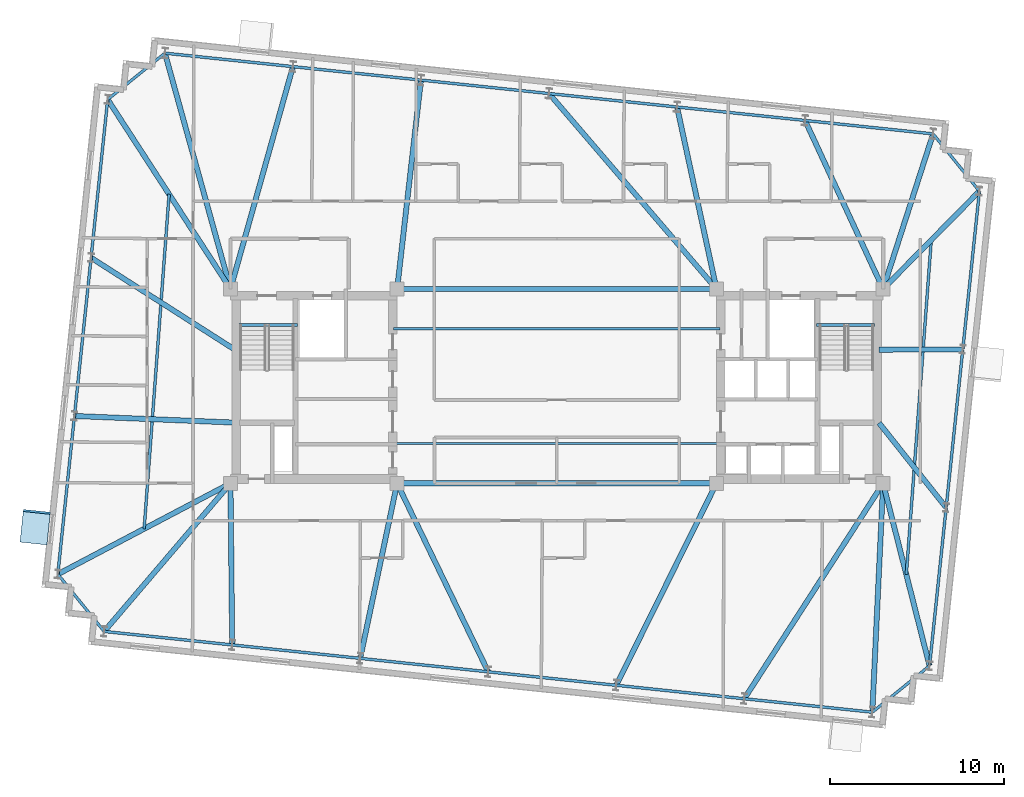
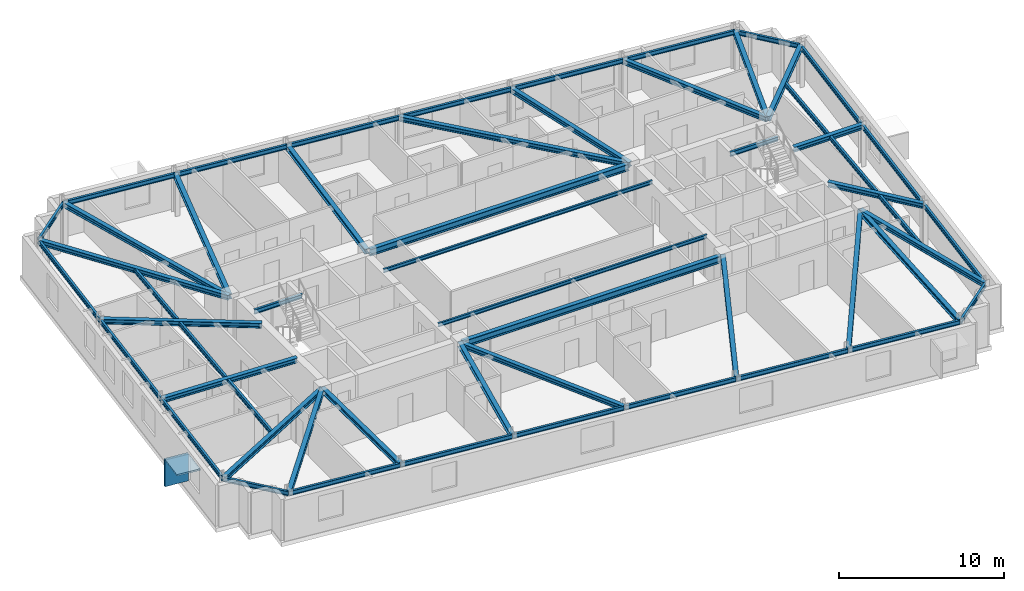
# One storey, part 4 of 12: 52 beams, 2 plates.
"""IFC4 building model written with IfcOpenShell, lengths in metres."""

import ifcopenshell
import ifcopenshell.guid

model = None  # the IFC model being written
_history = None  # IfcOwnerHistory: only IFC2X3 demands one
_inside = {}  # id of a spatial element -> (the spatial element, [elements in it])
_under = {}  # id of a project, library or spatial element -> (it, [spatial elements below it])
_declared = {}  # id of a project -> (the project, [libraries it declares])
_typed = {}  # id of a type object -> (the type object, [elements of that type])
_made_of = {}  # id of a material, layer set ... -> (it, [elements and type objects made of it])


def new_model(schema):
    """Start an empty IFC model of exactly this schema.

    Asked for "IFC4X3", IfcOpenShell would pick the latest addendum, in which some entities
    have other attributes; the version numbers below select the first issue.
    IFC2X3 requires an IfcOwnerHistory on every rooted entity: one is made here for all.
    """
    global model, _history
    if schema == "IFC4X3":
        model = ifcopenshell.file(schema_version=(4, 3, 0, 0))
    else:
        model = ifcopenshell.file(schema=schema)
    _inside.clear()
    _under.clear()
    _declared.clear()
    _typed.clear()
    _made_of.clear()
    _history = None
    if model.schema == "IFC2X3":
        org = make("IfcOrganization", Name="unknown")
        user = make(
            "IfcPersonAndOrganization",
            ThePerson=make("IfcPerson", FamilyName="unknown"),
            TheOrganization=org,
        )
        app = make(
            "IfcApplication",
            ApplicationDeveloper=org,
            Version="unknown",
            ApplicationFullName="unknown",
            ApplicationIdentifier="unknown",
        )
        _history = make(
            "IfcOwnerHistory",
            OwningUser=user,
            OwningApplication=app,
            ChangeAction="ADDED",
            CreationDate=0,
        )
    return model


def make(cls, **values):
    """One entity of the class cls with the attributes given. An attribute that is None is left unset."""
    return model.create_entity(
        cls, **{name: value for name, value in values.items() if value is not None}
    )


def rooted(cls, **values):
    """An entity with a GlobalId (a new one), such as an element, a storey or a relation."""
    return make(cls, GlobalId=ifcopenshell.guid.new(), OwnerHistory=_history, **values)


def si_unit(unit_type, name, prefix=None):
    """IfcSIUnit, for example si_unit("LENGTHUNIT", "METRE", prefix="MILLI")."""
    return make("IfcSIUnit", UnitType=unit_type, Prefix=prefix, Name=name)


def assignment(units):
    """IfcUnitAssignment: the units of a project."""
    return None if units is None else make("IfcUnitAssignment", Units=units)


def point(xyz):
    """IfcCartesianPoint."""
    return None if xyz is None else make("IfcCartesianPoint", Coordinates=xyz)


def direction(xyz):
    """IfcDirection."""
    return None if xyz is None else make("IfcDirection", DirectionRatios=xyz)


def frame(location, z_axis=None, x_axis=None):
    """IfcAxis2Placement3D, a coordinate frame: its origin and axes. An axis left out is left unset."""
    return make(
        "IfcAxis2Placement3D",
        Location=point(location),
        Axis=direction(z_axis),
        RefDirection=direction(x_axis),
    )


def frame_2d(location, x_axis=None):
    """IfcAxis2Placement2D, a coordinate frame in the plane: its origin and x axis."""
    return make(
        "IfcAxis2Placement2D", Location=point(location), RefDirection=direction(x_axis)
    )


def origin():
    """The frame at (0, 0, 0) with its axes left unset."""
    return frame((0.0, 0.0, 0.0))


def origin_2d():
    """The frame at (0, 0) in the plane with its x axis left unset."""
    return frame_2d((0.0, 0.0))


def place(relative_to, where):
    """IfcLocalPlacement: puts the frame where relative to a parent placement (None: the world)."""
    return make(
        "IfcLocalPlacement", PlacementRelTo=relative_to, RelativePlacement=where
    )


def context(
    kind, dimensions, precision=None, world=None, true_north=None, identifier=None
):
    """IfcGeometricRepresentationContext, for example the 3D "Model" context."""
    return make(
        "IfcGeometricRepresentationContext",
        ContextIdentifier=identifier,
        ContextType=kind,
        CoordinateSpaceDimension=dimensions,
        Precision=precision,
        WorldCoordinateSystem=world,
        TrueNorth=true_north,
    )


def subcontext(parent, identifier, kind, view, scale=None):
    """IfcGeometricRepresentationSubContext, for example "Body" below "Model"."""
    return make(
        "IfcGeometricRepresentationSubContext",
        ContextIdentifier=identifier,
        ContextType=kind,
        ParentContext=parent,
        TargetScale=scale,
        TargetView=view,
    )


def project(units=None, contexts=None):
    """IfcProject with its units and contexts."""
    return rooted(
        "IfcProject",
        Name="project",
        RepresentationContexts=contexts,
        UnitsInContext=assignment(units),
    )


def spatial(cls, under=None, at=None, **own):
    """A site, building, storey or space (cls), placed at a placement, below another one or the project."""
    s = rooted(cls, ObjectPlacement=at, **own)
    if under is not None:
        _under.setdefault(under.id(), (under, []))[1].append(s)
    return s


def profile(cls, at=None, kind="AREA", **sizes):
    """A parametric profile (cls). Its sizes go by their IFC names, for example OverallWidth=200.0."""
    return make(cls, ProfileType=kind, Position=at, **sizes)


def rectangle(**sizes):
    """IfcRectangleProfileDef."""
    return profile("IfcRectangleProfileDef", **sizes)


def i_section(**sizes):
    """IfcIShapeProfileDef."""
    return profile("IfcIShapeProfileDef", **sizes)


def extrude(swept, where, along, depth):
    """IfcExtrudedAreaSolid: the profile swept, set in the frame where, extruded along a direction by depth."""
    return make(
        "IfcExtrudedAreaSolid",
        SweptArea=swept,
        Position=where,
        ExtrudedDirection=direction(along),
        Depth=depth,
    )


def shape(context_of_items, identifier, shape_type, items):
    """IfcShapeRepresentation: the items that make up one representation, for example the "Body"."""
    return make(
        "IfcShapeRepresentation",
        ContextOfItems=context_of_items,
        RepresentationIdentifier=identifier,
        RepresentationType=shape_type,
        Items=items,
    )


def material(Name=None, Category=None):
    """IfcMaterial."""
    return make("IfcMaterial", Name=Name, Category=Category)


def layer(
    of_material, thickness, ventilated=None, Name=None, Category=None, Priority=None
):
    """IfcMaterialLayer: one layer of a wall or slab, of a material (None: an air gap)."""
    return make(
        "IfcMaterialLayer",
        Material=of_material,
        LayerThickness=thickness,
        IsVentilated=ventilated,
        Name=Name,
        Category=Category,
        Priority=Priority,
    )


def layer_set(layers, Name=None):
    """IfcMaterialLayerSet."""
    return make("IfcMaterialLayerSet", MaterialLayers=layers, LayerSetName=Name)


def material_profile(
    of_material, cross_section, Name=None, Category=None, Priority=None
):
    """IfcMaterialProfile: a cross section and its material."""
    return make(
        "IfcMaterialProfile",
        Name=Name,
        Material=of_material,
        Profile=cross_section,
        Priority=Priority,
        Category=Category,
    )


def profile_set(profiles, Name=None, composite=None):
    """IfcMaterialProfileSet."""
    return make(
        "IfcMaterialProfileSet",
        Name=Name,
        MaterialProfiles=profiles,
        CompositeProfile=composite,
    )


def made_of(thing, what):
    """Note that an element or type object is made of a material, layer set ...; save() writes the relation."""
    if what is not None:
        _made_of.setdefault(what.id(), (what, []))[1].append(thing)
    return thing


def type_object(cls, material=None, **own):
    """A type object (cls), such as IfcWallType, which elements share."""
    return made_of(rooted(cls, **own), material)


def element(
    cls,
    number,
    at=None,
    inside=None,
    cuts=None,
    type_object=None,
    material=None,
    context=None,
    identifier="Body",
    shape_type=None,
    held_by="IfcProductDefinitionShape",
    body=None,
    shapes=None,
    **own,
):
    """One element of the class cls, such as IfcWall. Its Tag is "e" and its number.

    at: its placement. inside: the storey or other place that contains it. cuts: it is an
    opening in that element (IfcRelVoidsElement). A single representation is given by context,
    identifier, shape_type and body (its items); several are given by shapes. held_by: the class
    of the entity that holds the representations. save() writes the other relations.
    """
    e = rooted(cls, Tag="e%d" % number, ObjectPlacement=at, **own)
    if body is not None:
        shapes = [shape(context, identifier, shape_type, body)]
    if shapes is not None:
        e.Representation = make(held_by, Representations=shapes)
    if inside is not None:
        _inside.setdefault(inside.id(), (inside, []))[1].append(e)
    if cuts is not None:
        rooted(
            "IfcRelVoidsElement", RelatingBuildingElement=cuts, RelatedOpeningElement=e
        )
    if type_object is not None:
        _typed.setdefault(type_object.id(), (type_object, []))[1].append(e)
    return made_of(e, material)


def aggregate(whole, parts):
    """IfcRelAggregates: a whole, such as a stair, and the parts it consists of."""
    return rooted("IfcRelAggregates", RelatingObject=whole, RelatedObjects=parts)


def save(model, path):
    """Write the relations noted so far, then the file.

    IfcRelAggregates (storeys below a building ...), IfcRelContainedInSpatialStructure (elements
    in a storey), IfcRelDefinesByType, IfcRelAssociatesMaterial and IfcRelDeclares: one each for
    every whole, place, type object, material and project.
    """
    for whole, parts in _under.values():
        aggregate(whole, parts)
    for where, things in _inside.values():
        rooted(
            "IfcRelContainedInSpatialStructure",
            RelatedElements=things,
            RelatingStructure=where,
        )
    for kind, things in _typed.values():
        rooted("IfcRelDefinesByType", RelatedObjects=things, RelatingType=kind)
    for what, things in _made_of.values():
        rooted("IfcRelAssociatesMaterial", RelatedObjects=things, RelatingMaterial=what)
    for by, libraries in _declared.values():
        rooted("IfcRelDeclares", RelatingContext=by, RelatedDefinitions=libraries)
    model.write(path)


model = new_model("IFC4")

# Units and contexts
model_context = context("Model", 3, precision=1e-05, world=origin(), true_north=direction((0.0, 1.0)))
body_context = subcontext(model_context, "Body", "Model", "MODEL_VIEW")
ifc_project = project(units=[si_unit("LENGTHUNIT", "METRE"), si_unit("AREAUNIT", "SQUARE_METRE"), si_unit("VOLUMEUNIT", "CUBIC_METRE"), si_unit("PLANEANGLEUNIT", "RADIAN"), si_unit("MASSUNIT", "GRAM", prefix="KILO")], contexts=[model_context])

# Site, building, storey
site_placement = place(None, origin())
site = spatial("IfcSite", under=ifc_project, at=site_placement, CompositionType="ELEMENT")
building_placement = place(site_placement, origin())
building = spatial("IfcBuilding", under=site, at=building_placement, Name="Qobustan Lattice House", CompositionType="ELEMENT")
storey_placement = place(building_placement, frame((0.0, 0.0, 183.0)))
storey = spatial("IfcBuildingStorey", under=building, at=storey_placement, Name="L51", CompositionType="ELEMENT", Elevation=183.0)

# Beams
ifc_material_1 = material(Name="Steel S355", Category="steel")
ifc_material_profile_1 = material_profile(ifc_material_1, i_section(OverallWidth=0.300048828125, OverallDepth=0.5, WebThickness=0.014404296875, FlangeThickness=0.028076171875, FilletRadius=0.027099609375, at=origin_2d()), Name="HEB500")
ifc_profile_set_1 = profile_set([ifc_material_profile_1], Name="Steel S355")
beam_type_1 = type_object("IfcBeamType", Name="BM-CG-HEB500", PredefinedType="USERDEFINED", material=ifc_profile_set_1)
for number, where, z_axis, x_axis, name in (
    (1, (-9.050048828125, -5.60009765625, 2.7900390625), (1.0, 0.0, 0.0), (0.0, 1.0, 0.0), "L51 core spine girder CG-CS"),
    (2, (-9.050048828125, 5.60009765625, 2.7900390625), (1.0, 0.0, 0.0), (0.0, 1.0, 0.0), "L51 core spine girder CG-CN"),
):
    element("IfcBeam", number, at=place(storey_placement, frame(where, z_axis=z_axis, x_axis=x_axis)), inside=storey, type_object=beam_type_1, Name=name, ObjectType="GIRDER", PredefinedType="USERDEFINED", context=body_context, shape_type="SweptSolid", body=[
        extrude(i_section(OverallWidth=0.300048828125, OverallDepth=0.5, WebThickness=0.014404296875, FlangeThickness=0.028076171875, FilletRadius=0.027099609375, at=origin_2d()), origin(), (0.0, 0.0, 1.0), 18.10009765625),
    ])
ifc_material_2 = material(Name="Steel S355", Category="steel")
ifc_material_profile_2 = material_profile(ifc_material_2, i_section(OverallWidth=0.300048828125, OverallDepth=0.360107421875, WebThickness=0.012451171875, FlangeThickness=0.0224609375, FilletRadius=0.027099609375, at=origin_2d()), Name="HEB360")
ifc_profile_set_2 = profile_set([ifc_material_profile_2], Name="Steel S355")
beam_type_2 = type_object("IfcBeamType", Name="BM-FLG-HEB360", PredefinedType="USERDEFINED", material=ifc_profile_set_2)
beam_1_placement = place(storey_placement, frame((-26.062744140625, -14.113525390625, 2.860107421875), z_axis=(0.649006911642, 0.760782510736, 0.0), x_axis=(-0.760782510736, 0.649006911642, 0.0)))
element("IfcBeam", 3, at=beam_1_placement, inside=storey, type_object=beam_type_2, Name="L51 primary floor girder RAD-S1W", ObjectType="GIRDER", PredefinedType="USERDEFINED", context=body_context, shape_type="SweptSolid", body=[
    extrude(i_section(OverallWidth=0.300048828125, OverallDepth=0.360107421875, WebThickness=0.012451171875, FlangeThickness=0.0224609375, FilletRadius=0.027099609375, at=origin_2d()), origin(), (0.0, 0.0, 1.0), 11.16552734375),
])
beam_2_placement = place(storey_placement, frame((-18.703125, -14.8828125, 2.860107421875), z_axis=(-0.010442468578, 0.999945475939, 0.0), x_axis=(-0.999945475939, -0.010442468578, 0.0)))
element("IfcBeam", 4, at=beam_2_placement, inside=storey, type_object=beam_type_2, Name="L51 primary floor girder RAD-S2", ObjectType="GIRDER", PredefinedType="USERDEFINED", context=body_context, shape_type="SweptSolid", body=[
    extrude(i_section(OverallWidth=0.300048828125, OverallDepth=0.360107421875, WebThickness=0.012451171875, FlangeThickness=0.0224609375, FilletRadius=0.027099609375, at=origin_2d()), origin(), (0.0, 0.0, 1.0), 9.25830078125),
])
beam_3_placement = place(storey_placement, frame((-11.32177734375, -15.658447265625, 2.860107421875), z_axis=(0.206411213198, 0.978465334627, 0.0), x_axis=(-0.978465334627, 0.206411213198, 0.0)))
element("IfcBeam", 5, at=beam_3_placement, inside=storey, type_object=beam_type_2, Name="L51 primary floor girder RAD-S3", ObjectType="GIRDER", PredefinedType="USERDEFINED", context=body_context, shape_type="SweptSolid", body=[
    extrude(i_section(OverallWidth=0.300048828125, OverallDepth=0.360107421875, WebThickness=0.012451171875, FlangeThickness=0.0224609375, FilletRadius=0.027099609375, at=origin_2d()), origin(), (0.0, 0.0, 1.0), 10.2548828125),
])
beam_4_placement = place(storey_placement, frame((-3.9619140625, -16.435791015625, 2.860107421875), z_axis=(-0.435229353302, 0.900319615483, 0.0), x_axis=(-0.900319615483, -0.435229353302, 0.0)))
element("IfcBeam", 6, at=beam_4_placement, inside=storey, type_object=beam_type_2, Name="L51 primary floor girder RAD-S4", ObjectType="GIRDER", PredefinedType="USERDEFINED", context=body_context, shape_type="SweptSolid", body=[
    extrude(i_section(OverallWidth=0.300048828125, OverallDepth=0.360107421875, WebThickness=0.012451171875, FlangeThickness=0.0224609375, FilletRadius=0.027099609375, at=origin_2d()), origin(), (0.0, 0.0, 1.0), 12.010498046875),
])
beam_5_placement = place(storey_placement, frame((3.436279296875, -17.211181640625, 2.860107421875), z_axis=(0.444630337125, 0.895714163843, 0.0), x_axis=(-0.895714163843, 0.444630337125, 0.0)))
element("IfcBeam", 7, at=beam_5_placement, inside=storey, type_object=beam_type_2, Name="L51 primary floor girder RAD-S5", ObjectType="GIRDER", PredefinedType="USERDEFINED", context=body_context, shape_type="SweptSolid", body=[
    extrude(i_section(OverallWidth=0.300048828125, OverallDepth=0.360107421875, WebThickness=0.012451171875, FlangeThickness=0.0224609375, FilletRadius=0.027099609375, at=origin_2d()), origin(), (0.0, 0.0, 1.0), 12.938232421875),
])
beam_6_placement = place(storey_placement, frame((10.814697265625, -17.98779296875, 2.860107421875), z_axis=(0.541810491961, 0.840500678644, 0.0), x_axis=(-0.840500678644, 0.541810491961, 0.0)))
element("IfcBeam", 8, at=beam_6_placement, inside=storey, type_object=beam_type_2, Name="L51 primary floor girder RAD-S6", ObjectType="GIRDER", PredefinedType="USERDEFINED", context=body_context, shape_type="SweptSolid", body=[
    extrude(i_section(OverallWidth=0.300048828125, OverallDepth=0.360107421875, WebThickness=0.012451171875, FlangeThickness=0.0224609375, FilletRadius=0.027099609375, at=origin_2d()), origin(), (0.0, 0.0, 1.0), 14.71337890625),
])
beam_7_placement = place(storey_placement, frame((18.178466796875, -18.759033203125, 2.860107421875), z_axis=(0.047180517312, 0.998886379318, 0.0), x_axis=(-0.998886379318, 0.047180517312, 0.0)))
element("IfcBeam", 9, at=beam_7_placement, inside=storey, type_object=beam_type_2, Name="L51 primary floor girder RAD-S7E", ObjectType="GIRDER", PredefinedType="USERDEFINED", context=body_context, shape_type="SweptSolid", body=[
    extrude(i_section(OverallWidth=0.300048828125, OverallDepth=0.360107421875, WebThickness=0.012451171875, FlangeThickness=0.0224609375, FilletRadius=0.027099609375, at=origin_2d()), origin(), (0.0, 0.0, 1.0), 13.148681640625),
])
beam_8_placement = place(storey_placement, frame((-22.570556640625, 19.159912109375, 2.860107421875), z_axis=(0.267904661715, -0.963445427739, 0.0), x_axis=(0.963445427739, 0.267904661715, 0.0)))
element("IfcBeam", 10, at=beam_8_placement, inside=storey, type_object=beam_type_2, Name="L51 primary floor girder RAD-N7W", ObjectType="GIRDER", PredefinedType="USERDEFINED", context=body_context, shape_type="SweptSolid", body=[
    extrude(i_section(OverallWidth=0.300048828125, OverallDepth=0.360107421875, WebThickness=0.012451171875, FlangeThickness=0.0224609375, FilletRadius=0.027099609375, at=origin_2d()), origin(), (0.0, 0.0, 1.0), 14.049560546875),
])
beam_9_placement = place(storey_placement, frame((-15.2080078125, 18.384521484375, 2.860107421875), z_axis=(-0.270487929903, -0.962723366174, 0.0), x_axis=(0.962723366174, -0.270487929903, 0.0)))
element("IfcBeam", 11, at=beam_9_placement, inside=storey, type_object=beam_type_2, Name="L51 primary floor girder RAD-N6", ObjectType="GIRDER", PredefinedType="USERDEFINED", context=body_context, shape_type="SweptSolid", body=[
    extrude(i_section(OverallWidth=0.300048828125, OverallDepth=0.360107421875, WebThickness=0.012451171875, FlangeThickness=0.0224609375, FilletRadius=0.027099609375, at=origin_2d()), origin(), (0.0, 0.0, 1.0), 13.254638671875),
])
beam_10_placement = place(storey_placement, frame((-7.827880859375, 17.608642578125, 2.860107421875), z_axis=(-0.11353003651, -0.993534564477, 0.0), x_axis=(0.993534564477, -0.11353003651, 0.0)))
element("IfcBeam", 12, at=beam_10_placement, inside=storey, type_object=beam_type_2, Name="L51 primary floor girder RAD-N5", ObjectType="GIRDER", PredefinedType="USERDEFINED", context=body_context, shape_type="SweptSolid", body=[
    extrude(i_section(OverallWidth=0.300048828125, OverallDepth=0.360107421875, WebThickness=0.012451171875, FlangeThickness=0.0224609375, FilletRadius=0.027099609375, at=origin_2d()), origin(), (0.0, 0.0, 1.0), 12.061767578125),
])
beam_11_placement = place(storey_placement, frame((-0.432861328125, 16.839111328125, 2.860107421875), z_axis=(0.650757358368, -0.759285756833, 0.0), x_axis=(0.759285756833, 0.650757358368, 0.0)))
element("IfcBeam", 13, at=beam_11_placement, inside=storey, type_object=beam_type_2, Name="L51 primary floor girder RAD-N4", ObjectType="GIRDER", PredefinedType="USERDEFINED", context=body_context, shape_type="SweptSolid", body=[
    extrude(i_section(OverallWidth=0.300048828125, OverallDepth=0.360107421875, WebThickness=0.012451171875, FlangeThickness=0.0224609375, FilletRadius=0.027099609375, at=origin_2d()), origin(), (0.0, 0.0, 1.0), 14.77734375),
])
beam_12_placement = place(storey_placement, frame((6.93212890625, 16.05859375, 2.860107421875), z_axis=(0.211908420044, -0.977289527988, 0.0), x_axis=(0.977289527988, 0.211908420044, 0.0)))
element("IfcBeam", 14, at=beam_12_placement, inside=storey, type_object=beam_type_2, Name="L51 primary floor girder RAD-N3", ObjectType="GIRDER", PredefinedType="USERDEFINED", context=body_context, shape_type="SweptSolid", body=[
    extrude(i_section(OverallWidth=0.300048828125, OverallDepth=0.360107421875, WebThickness=0.012451171875, FlangeThickness=0.0224609375, FilletRadius=0.027099609375, at=origin_2d()), origin(), (0.0, 0.0, 1.0), 10.676513671875),
])
beam_13_placement = place(storey_placement, frame((14.3134765625, 15.284912109375, 2.860107421875), z_axis=(0.420345924661, -0.907363931188, 0.0), x_axis=(0.907363931188, 0.420345924661, 0.0)))
element("IfcBeam", 15, at=beam_13_placement, inside=storey, type_object=beam_type_2, Name="L51 primary floor girder RAD-N2", ObjectType="GIRDER", PredefinedType="USERDEFINED", context=body_context, shape_type="SweptSolid", body=[
    extrude(i_section(OverallWidth=0.300048828125, OverallDepth=0.360107421875, WebThickness=0.012451171875, FlangeThickness=0.0224609375, FilletRadius=0.027099609375, at=origin_2d()), origin(), (0.0, 0.0, 1.0), 10.6484375),
])
beam_14_placement = place(storey_placement, frame((21.67138671875, 14.5087890625, 2.860107421875), z_axis=(-0.306773532579, -0.951782538035, 0.0), x_axis=(0.951782538035, -0.306773532579, 0.0)))
element("IfcBeam", 16, at=beam_14_placement, inside=storey, type_object=beam_type_2, Name="L51 primary floor girder RAD-N1E", ObjectType="GIRDER", PredefinedType="USERDEFINED", context=body_context, shape_type="SweptSolid", body=[
    extrude(i_section(OverallWidth=0.300048828125, OverallDepth=0.360107421875, WebThickness=0.012451171875, FlangeThickness=0.0224609375, FilletRadius=0.027099609375, at=origin_2d()), origin(), (0.0, 0.0, 1.0), 9.335205078125),
])
beam_15_placement = place(storey_placement, frame((-25.86083984375, 16.492919921875, 2.860107421875), z_axis=(0.543926170046, -0.839133077371, 0.0), x_axis=(0.839133077371, 0.543926170046, 0.0)))
element("IfcBeam", 17, at=beam_15_placement, inside=storey, type_object=beam_type_2, Name="L51 primary floor girder RAD-W1", ObjectType="GIRDER", PredefinedType="USERDEFINED", context=body_context, shape_type="SweptSolid", body=[
    extrude(i_section(OverallWidth=0.300048828125, OverallDepth=0.360107421875, WebThickness=0.012451171875, FlangeThickness=0.0224609375, FilletRadius=0.027099609375, at=origin_2d()), origin(), (0.0, 0.0, 1.0), 12.9560546875),
])
beam_16_placement = place(storey_placement, frame((-26.8115234375, 7.384033203125, 2.860107421875), z_axis=(0.842429105495, -0.538807203195, 0.0), x_axis=(0.538807203195, 0.842429105495, 0.0)))
element("IfcBeam", 18, at=beam_16_placement, inside=storey, type_object=beam_type_2, Name="L51 primary floor girder RAD-W2", ObjectType="GIRDER", PredefinedType="USERDEFINED", context=body_context, shape_type="SweptSolid", body=[
    extrude(i_section(OverallWidth=0.300048828125, OverallDepth=0.360107421875, WebThickness=0.012451171875, FlangeThickness=0.0224609375, FilletRadius=0.027099609375, at=origin_2d()), origin(), (0.0, 0.0, 1.0), 9.78173828125),
])
beam_17_placement = place(storey_placement, frame((-27.765869140625, -1.719970703125, 2.860107421875), z_axis=(0.999150190925, -0.041217665795, 0.0), x_axis=(0.041217665795, 0.999150190925, 0.0)))
element("IfcBeam", 19, at=beam_17_placement, inside=storey, type_object=beam_type_2, Name="L51 primary floor girder RAD-W3", ObjectType="GIRDER", PredefinedType="USERDEFINED", context=body_context, shape_type="SweptSolid", body=[
    extrude(i_section(OverallWidth=0.300048828125, OverallDepth=0.360107421875, WebThickness=0.012451171875, FlangeThickness=0.0224609375, FilletRadius=0.027099609375, at=origin_2d()), origin(), (0.0, 0.0, 1.0), 9.19873046875),
])
beam_18_placement = place(storey_placement, frame((-28.726806640625, -10.82373046875, 2.860107421875), z_axis=(0.884950868639, 0.465684399669, 0.0), x_axis=(-0.465684399669, 0.884950868639, 0.0)))
element("IfcBeam", 20, at=beam_18_placement, inside=storey, type_object=beam_type_2, Name="L51 primary floor girder RAD-W4", ObjectType="GIRDER", PredefinedType="USERDEFINED", context=body_context, shape_type="SweptSolid", body=[
    extrude(i_section(OverallWidth=0.300048828125, OverallDepth=0.360107421875, WebThickness=0.012451171875, FlangeThickness=0.0224609375, FilletRadius=0.027099609375, at=origin_2d()), origin(), (0.0, 0.0, 1.0), 11.1923828125),
])
beam_19_placement = place(storey_placement, frame((24.331298828125, 11.217529296875, 2.860107421875), z_axis=(-0.701633616284, -0.712537906712, 0.0), x_axis=(0.712537906712, -0.701633616284, 0.0)))
element("IfcBeam", 21, at=beam_19_placement, inside=storey, type_object=beam_type_2, Name="L51 primary floor girder RAD-E4", ObjectType="GIRDER", PredefinedType="USERDEFINED", context=body_context, shape_type="SweptSolid", body=[
    extrude(i_section(OverallWidth=0.300048828125, OverallDepth=0.360107421875, WebThickness=0.012451171875, FlangeThickness=0.0224609375, FilletRadius=0.027099609375, at=origin_2d()), origin(), (0.0, 0.0, 1.0), 7.858642578125),
])
beam_20_placement = place(storey_placement, frame((23.36572265625, 2.118896484375, 2.860107421875), z_axis=(-0.999992301331, -0.003923936564, 0.0), x_axis=(0.003923936564, -0.999992301331, 0.0)))
element("IfcBeam", 22, at=beam_20_placement, inside=storey, type_object=beam_type_2, Name="L51 primary floor girder RAD-E3", ObjectType="GIRDER", PredefinedType="USERDEFINED", context=body_context, shape_type="SweptSolid", body=[
    extrude(i_section(OverallWidth=0.300048828125, OverallDepth=0.360107421875, WebThickness=0.012451171875, FlangeThickness=0.0224609375, FilletRadius=0.027099609375, at=origin_2d()), origin(), (0.0, 0.0, 1.0), 4.790771484375),
])
beam_21_placement = place(storey_placement, frame((22.4169921875, -6.97802734375, 2.860107421875), z_axis=(-0.621231320857, 0.783627236629, 0.0), x_axis=(-0.783627236629, -0.621231320857, 0.0)))
element("IfcBeam", 23, at=beam_21_placement, inside=storey, type_object=beam_type_2, Name="L51 primary floor girder RAD-E2", ObjectType="GIRDER", PredefinedType="USERDEFINED", context=body_context, shape_type="SweptSolid", body=[
    extrude(i_section(OverallWidth=0.300048828125, OverallDepth=0.360107421875, WebThickness=0.012451171875, FlangeThickness=0.0224609375, FilletRadius=0.027099609375, at=origin_2d()), origin(), (0.0, 0.0, 1.0), 6.199951171875),
])
beam_22_placement = place(storey_placement, frame((21.46826171875, -16.08984375, 2.860107421875), z_axis=(-0.246517911643, 0.969138235361, 0.0), x_axis=(-0.969138235361, -0.246517911643, 0.0)))
element("IfcBeam", 24, at=beam_22_placement, inside=storey, type_object=beam_type_2, Name="L51 primary floor girder RAD-E1", ObjectType="GIRDER", PredefinedType="USERDEFINED", context=body_context, shape_type="SweptSolid", body=[
    extrude(i_section(OverallWidth=0.300048828125, OverallDepth=0.360107421875, WebThickness=0.012451171875, FlangeThickness=0.0224609375, FilletRadius=0.027099609375, at=origin_2d()), origin(), (0.0, 0.0, 1.0), 10.798828125),
])
ifc_material_3 = material(Name="Steel S355", Category="steel")
ifc_material_profile_3 = material_profile(ifc_material_3, i_section(OverallWidth=0.135009765625, OverallDepth=0.27001953125, WebThickness=0.006591796875, FlangeThickness=0.01025390625, FilletRadius=0.014892578125, at=origin_2d()), Name="IPE270")
ifc_profile_set_3 = profile_set([ifc_material_profile_3], Name="Steel S355")
beam_type_3 = type_object("IfcBeamType", Name="BM-JST-IPE270", PredefinedType="JOIST", material=ifc_profile_set_3)
for number, where, z_axis, x_axis, name in (
    (25, (-9.39990234375, -3.300048828125, 2.905029296875), (1.0, 0.0, 0.0), (0.0, 1.0, 0.0), "L51 central span floor joist 1"),
    (26, (-9.39990234375, 3.300048828125, 2.905029296875), (1.0, 0.0, 0.0), (0.0, 1.0, 0.0), "L51 central span floor joist 2"),
):
    element("IfcBeam", number, at=place(storey_placement, frame(where, z_axis=z_axis, x_axis=x_axis)), inside=storey, type_object=beam_type_3, Name=name, PredefinedType="JOIST", context=body_context, shape_type="SweptSolid", body=[
        extrude(i_section(OverallWidth=0.135009765625, OverallDepth=0.27001953125, WebThickness=0.006591796875, FlangeThickness=0.01025390625, FilletRadius=0.014892578125, at=origin_2d()), origin(), (0.0, 0.0, 1.0), 18.7998046875),
    ])
ifc_material_4 = material(Name="Steel S355", Category="steel")
ifc_material_profile_4 = material_profile(ifc_material_4, i_section(OverallWidth=0.159912109375, OverallDepth=0.330078125, WebThickness=0.007568359375, FlangeThickness=0.011474609375, FilletRadius=0.01806640625, at=origin_2d()), Name="IPE330")
ifc_profile_set_4 = profile_set([ifc_material_profile_4], Name="Steel S355")
beam_type_4 = type_object("IfcBeamType", Name="BM-SEC-IPE330", PredefinedType="BEAM", material=ifc_profile_set_4)
beam_23_placement = place(storey_placement, frame((-22.337158203125, 11.056884765625, 2.875), z_axis=(-0.074361616657, -0.997231342251, 0.0), x_axis=(0.997231342251, -0.074361616657, 0.0)))
element("IfcBeam", 27, at=beam_23_placement, inside=storey, type_object=beam_type_4, Name="L51 west wing secondary beam", PredefinedType="BEAM", context=body_context, shape_type="SweptSolid", body=[
    extrude(i_section(OverallWidth=0.159912109375, OverallDepth=0.330078125, WebThickness=0.007568359375, FlangeThickness=0.011474609375, FilletRadius=0.01806640625, at=origin_2d()), origin(), (0.0, 0.0, 1.0), 19.327880859375),
])
beam_24_placement = place(storey_placement, frame((21.574462890625, 8.417724609375, 2.875), z_axis=(-0.074360679971, -0.997231412098, 0.0), x_axis=(0.997231412098, -0.074360679971, 0.0)))
element("IfcBeam", 28, at=beam_24_placement, inside=storey, type_object=beam_type_4, Name="L51 east wing secondary beam", PredefinedType="BEAM", context=body_context, shape_type="SweptSolid", body=[
    extrude(i_section(OverallWidth=0.159912109375, OverallDepth=0.330078125, WebThickness=0.007568359375, FlangeThickness=0.011474609375, FilletRadius=0.01806640625, at=origin_2d()), origin(), (0.0, 0.0, 1.0), 19.328125),
])
ifc_material_5 = material(Name="Steel S355", Category="steel")
ifc_material_profile_5 = material_profile(ifc_material_5, i_section(OverallWidth=0.159912109375, OverallDepth=0.330078125, WebThickness=0.007568359375, FlangeThickness=0.011474609375, FilletRadius=0.01806640625, at=origin_2d()), Name="IPE330")
ifc_profile_set_5 = profile_set([ifc_material_profile_5], Name="Steel S355")
beam_type_5 = type_object("IfcBeamType", Name="BM-SPD-IPE330", PredefinedType="SPANDREL", material=ifc_profile_set_5)
for number, where, z_axis, x_axis, name in (
    (29, (-18.300048828125, 3.52001953125, 2.875), (1.0, 0.0, 0.0), (0.0, 1.0, 0.0), "L51 west stair landing trimmer beam"),
    (30, (14.949951171875, 3.52001953125, 2.875), (1.0, 0.0, 0.0), (0.0, 1.0, 0.0), "L51 east stair landing trimmer beam"),
):
    element("IfcBeam", number, at=place(storey_placement, frame(where, z_axis=z_axis, x_axis=x_axis)), inside=storey, type_object=beam_type_5, Name=name, PredefinedType="SPANDREL", context=body_context, shape_type="SweptSolid", body=[
        extrude(i_section(OverallWidth=0.159912109375, OverallDepth=0.330078125, WebThickness=0.007568359375, FlangeThickness=0.011474609375, FilletRadius=0.01806640625, at=origin_2d()), origin(), (0.0, 0.0, 1.0), 3.35009765625),
    ])
beam_25_placement = place(storey_placement, frame((-26.05419921875, -14.135009765625, 2.875), z_axis=(0.99452214685, -0.104526070551, 0.0), x_axis=(0.104526070551, 0.99452214685, 0.0)))
element("IfcBeam", 31, at=beam_25_placement, inside=storey, type_object=beam_type_5, Name="L51 perimeter spandrel S1-S2", PredefinedType="SPANDREL", context=body_context, shape_type="SweptSolid", body=[
    extrude(i_section(OverallWidth=0.159912109375, OverallDepth=0.330078125, WebThickness=0.007568359375, FlangeThickness=0.011474609375, FilletRadius=0.01806640625, at=origin_2d()), origin(), (0.0, 0.0, 1.0), 7.36669921875),
])
for number, where, z_axis, x_axis, name in (
    (32, (-18.677978515625, -14.910400390625, 2.875), (0.994521784746, -0.104529515765, 0.0), (0.104529515765, 0.994521784746, 0.0), "L51 perimeter spandrel S2-S3"),
    (33, (-11.302001953125, -15.685546875, 2.875), (0.994521784746, -0.104529515765, 0.0), (0.104529515765, 0.994521784746, 0.0), "L51 perimeter spandrel S3-S4"),
):
    element("IfcBeam", number, at=place(storey_placement, frame(where, z_axis=z_axis, x_axis=x_axis)), inside=storey, type_object=beam_type_5, Name=name, PredefinedType="SPANDREL", context=body_context, shape_type="SweptSolid", body=[
        extrude(i_section(OverallWidth=0.159912109375, OverallDepth=0.330078125, WebThickness=0.007568359375, FlangeThickness=0.011474609375, FilletRadius=0.01806640625, at=origin_2d()), origin(), (0.0, 0.0, 1.0), 7.366455078125),
    ])
beam_26_placement = place(storey_placement, frame((-3.926025390625, -16.460693359375, 2.875), z_axis=(0.99451870122, -0.10455884909, 0.0), x_axis=(0.10455884909, 0.99451870122, 0.0)))
element("IfcBeam", 34, at=beam_26_placement, inside=storey, type_object=beam_type_5, Name="L51 perimeter spandrel S4-S5", PredefinedType="SPANDREL", context=body_context, shape_type="SweptSolid", body=[
    extrude(i_section(OverallWidth=0.159912109375, OverallDepth=0.330078125, WebThickness=0.007568359375, FlangeThickness=0.011474609375, FilletRadius=0.01806640625, at=origin_2d()), origin(), (0.0, 0.0, 1.0), 7.36669921875),
])
for number, where, z_axis, x_axis, name in (
    (35, (3.4501953125, -17.236083984375, 2.875), (0.994521784746, -0.104529515765, 0.0), (0.104529515765, 0.994521784746, 0.0), "L51 perimeter spandrel S5-S6"),
    (36, (10.826171875, -18.01123046875, 2.875), (0.99451833889, -0.104562295361, 0.0), (0.104562295361, 0.99451833889, 0.0), "L51 perimeter spandrel S6-S7"),
):
    element("IfcBeam", number, at=place(storey_placement, frame(where, z_axis=z_axis, x_axis=x_axis)), inside=storey, type_object=beam_type_5, Name=name, PredefinedType="SPANDREL", context=body_context, shape_type="SweptSolid", body=[
        extrude(i_section(OverallWidth=0.159912109375, OverallDepth=0.330078125, WebThickness=0.007568359375, FlangeThickness=0.011474609375, FilletRadius=0.01806640625, at=origin_2d()), origin(), (0.0, 0.0, 1.0), 7.366455078125),
    ])
beam_27_placement = place(storey_placement, frame((18.19677734375, -18.768310546875, 2.875), z_axis=(0.777128239225, 0.629342275554, 0.0), x_axis=(-0.629342275554, 0.777128239225, 0.0)))
element("IfcBeam", 37, at=beam_27_placement, inside=storey, type_object=beam_type_5, Name="L51 perimeter spandrel S7-E1", PredefinedType="SPANDREL", context=body_context, shape_type="SweptSolid", body=[
    extrude(i_section(OverallWidth=0.159912109375, OverallDepth=0.330078125, WebThickness=0.007568359375, FlangeThickness=0.011474609375, FilletRadius=0.01806640625, at=origin_2d()), origin(), (0.0, 0.0, 1.0), 4.192626953125),
])
for number, where, z_axis, x_axis, name in (
    (38, (21.47705078125, -16.089111328125, 2.875), (0.10452168293, 0.994522607987, 0.0), (-0.994522607987, 0.10452168293, 0.0), "L51 perimeter spandrel E1-E2"),
    (39, (22.435302734375, -6.97265625, 2.875), (0.10452168293, 0.994522607987, 0.0), (-0.994522607987, 0.10452168293, 0.0), "L51 perimeter spandrel E2-E3"),
    (40, (23.393310546875, 2.143798828125, 2.875), (0.10452168293, 0.994522607987, 0.0), (-0.994522607987, 0.10452168293, 0.0), "L51 perimeter spandrel E3-E4"),
):
    element("IfcBeam", number, at=place(storey_placement, frame(where, z_axis=z_axis, x_axis=x_axis)), inside=storey, type_object=beam_type_5, Name=name, PredefinedType="SPANDREL", context=body_context, shape_type="SweptSolid", body=[
        extrude(i_section(OverallWidth=0.159912109375, OverallDepth=0.330078125, WebThickness=0.007568359375, FlangeThickness=0.011474609375, FilletRadius=0.01806640625, at=origin_2d()), origin(), (0.0, 0.0, 1.0), 9.11669921875),
    ])
beam_28_placement = place(storey_placement, frame((24.333251953125, 11.254638671875, 2.875), z_axis=(-0.629313797654, 0.777151300637, 0.0), x_axis=(-0.777151300637, -0.629313797654, 0.0)))
element("IfcBeam", 41, at=beam_28_placement, inside=storey, type_object=beam_type_5, Name="L51 perimeter spandrel E4-N1", PredefinedType="SPANDREL", context=body_context, shape_type="SweptSolid", body=[
    extrude(i_section(OverallWidth=0.159912109375, OverallDepth=0.330078125, WebThickness=0.007568359375, FlangeThickness=0.011474609375, FilletRadius=0.01806640625, at=origin_2d()), origin(), (0.0, 0.0, 1.0), 4.19287109375),
])
for number, where, z_axis, x_axis, name in (
    (42, (21.654052734375, 14.53515625, 2.875), (-0.994521784746, 0.104529515765, 0.0), (-0.104529515765, -0.994521784746, 0.0), "L51 perimeter spandrel N1-N2"),
    (43, (14.278076171875, 15.310302734375, 2.875), (-0.994521784746, 0.104529515765, 0.0), (-0.104529515765, -0.994521784746, 0.0), "L51 perimeter spandrel N2-N3"),
):
    element("IfcBeam", number, at=place(storey_placement, frame(where, z_axis=z_axis, x_axis=x_axis)), inside=storey, type_object=beam_type_5, Name=name, PredefinedType="SPANDREL", context=body_context, shape_type="SweptSolid", body=[
        extrude(i_section(OverallWidth=0.159912109375, OverallDepth=0.330078125, WebThickness=0.007568359375, FlangeThickness=0.011474609375, FilletRadius=0.01806640625, at=origin_2d()), origin(), (0.0, 0.0, 1.0), 7.366455078125),
    ])
beam_29_placement = place(storey_placement, frame((6.902099609375, 16.085693359375, 2.875), z_axis=(-0.99452214685, 0.104526070551, 0.0), x_axis=(-0.104526070551, -0.99452214685, 0.0)))
element("IfcBeam", 44, at=beam_29_placement, inside=storey, type_object=beam_type_5, Name="L51 perimeter spandrel N3-N4", PredefinedType="SPANDREL", context=body_context, shape_type="SweptSolid", body=[
    extrude(i_section(OverallWidth=0.159912109375, OverallDepth=0.330078125, WebThickness=0.007568359375, FlangeThickness=0.011474609375, FilletRadius=0.01806640625, at=origin_2d()), origin(), (0.0, 0.0, 1.0), 7.36669921875),
])
for number, where, z_axis, x_axis, name in (
    (45, (-0.47412109375, 16.86083984375, 2.875), (-0.994521784746, 0.104529515765, 0.0), (-0.104529515765, -0.994521784746, 0.0), "L51 perimeter spandrel N4-N5"),
    (46, (-7.85009765625, 17.635986328125, 2.875), (-0.994521784746, 0.104529515765, 0.0), (-0.104529515765, -0.994521784746, 0.0), "L51 perimeter spandrel N5-N6"),
):
    element("IfcBeam", number, at=place(storey_placement, frame(where, z_axis=z_axis, x_axis=x_axis)), inside=storey, type_object=beam_type_5, Name=name, PredefinedType="SPANDREL", context=body_context, shape_type="SweptSolid", body=[
        extrude(i_section(OverallWidth=0.159912109375, OverallDepth=0.330078125, WebThickness=0.007568359375, FlangeThickness=0.011474609375, FilletRadius=0.01806640625, at=origin_2d()), origin(), (0.0, 0.0, 1.0), 7.366455078125),
    ])
beam_30_placement = place(storey_placement, frame((-15.22607421875, 18.411376953125, 2.875), z_axis=(-0.99452214685, 0.104526070551, 0.0), x_axis=(-0.104526070551, -0.99452214685, 0.0)))
element("IfcBeam", 47, at=beam_30_placement, inside=storey, type_object=beam_type_5, Name="L51 perimeter spandrel N6-N7", PredefinedType="SPANDREL", context=body_context, shape_type="SweptSolid", body=[
    extrude(i_section(OverallWidth=0.159912109375, OverallDepth=0.330078125, WebThickness=0.007568359375, FlangeThickness=0.011474609375, FilletRadius=0.01806640625, at=origin_2d()), origin(), (0.0, 0.0, 1.0), 7.36669921875),
])
beam_31_placement = place(storey_placement, frame((-22.5966796875, 19.168212890625, 2.875), z_axis=(-0.777156718239, -0.629307107299, 0.0), x_axis=(0.629307107299, -0.777156718239, 0.0)))
element("IfcBeam", 48, at=beam_31_placement, inside=storey, type_object=beam_type_5, Name="L51 perimeter spandrel N7-W1", PredefinedType="SPANDREL", context=body_context, shape_type="SweptSolid", body=[
    extrude(i_section(OverallWidth=0.159912109375, OverallDepth=0.330078125, WebThickness=0.007568359375, FlangeThickness=0.011474609375, FilletRadius=0.01806640625, at=origin_2d()), origin(), (0.0, 0.0, 1.0), 4.192626953125),
])
beam_32_placement = place(storey_placement, frame((-25.876953125, 16.489013671875, 2.875), z_axis=(-0.104550954592, -0.994519531178, 0.0), x_axis=(0.994519531178, -0.104550954592, 0.0)))
element("IfcBeam", 49, at=beam_32_placement, inside=storey, type_object=beam_type_5, Name="L51 perimeter spandrel W1-W2", PredefinedType="SPANDREL", context=body_context, shape_type="SweptSolid", body=[
    extrude(i_section(OverallWidth=0.159912109375, OverallDepth=0.330078125, WebThickness=0.007568359375, FlangeThickness=0.011474609375, FilletRadius=0.01806640625, at=origin_2d()), origin(), (0.0, 0.0, 1.0), 9.116455078125),
])
beam_33_placement = place(storey_placement, frame((-26.835205078125, 7.372802734375, 2.875), z_axis=(-0.104518899262, -0.994522900539, 0.0), x_axis=(0.994522900539, -0.104518899262, 0.0)))
element("IfcBeam", 50, at=beam_33_placement, inside=storey, type_object=beam_type_5, Name="L51 perimeter spandrel W2-W3", PredefinedType="SPANDREL", context=body_context, shape_type="SweptSolid", body=[
    extrude(i_section(OverallWidth=0.159912109375, OverallDepth=0.330078125, WebThickness=0.007568359375, FlangeThickness=0.011474609375, FilletRadius=0.01806640625, at=origin_2d()), origin(), (0.0, 0.0, 1.0), 9.116943359375),
])
beam_34_placement = place(storey_placement, frame((-27.79345703125, -1.743896484375, 2.875), z_axis=(-0.104524466745, -0.994522315412, 0.0), x_axis=(0.994522315412, -0.104524466745, 0.0)))
element("IfcBeam", 51, at=beam_34_placement, inside=storey, type_object=beam_type_5, Name="L51 perimeter spandrel W3-W4", PredefinedType="SPANDREL", context=body_context, shape_type="SweptSolid", body=[
    extrude(i_section(OverallWidth=0.159912109375, OverallDepth=0.330078125, WebThickness=0.007568359375, FlangeThickness=0.011474609375, FilletRadius=0.01806640625, at=origin_2d()), origin(), (0.0, 0.0, 1.0), 9.116455078125),
])
beam_35_placement = place(storey_placement, frame((-28.733154296875, -10.854736328125, 2.875), z_axis=(0.629307107299, -0.777156718239, 0.0), x_axis=(0.777156718239, 0.629307107299, 0.0)))
element("IfcBeam", 52, at=beam_35_placement, inside=storey, type_object=beam_type_5, Name="L51 perimeter spandrel W4-S1", PredefinedType="SPANDREL", context=body_context, shape_type="SweptSolid", body=[
    extrude(i_section(OverallWidth=0.159912109375, OverallDepth=0.330078125, WebThickness=0.007568359375, FlangeThickness=0.011474609375, FilletRadius=0.01806640625, at=origin_2d()), origin(), (0.0, 0.0, 1.0), 4.192626953125),
])

# Plates
ifc_material_6 = material(Name="Qobustan limestone GFRC", Category="masonry")
ifc_layer = layer(ifc_material_6, 0.1201171875)
ifc_layer_set = layer_set([ifc_layer], Name="Qobustan limestone GFRC")
plate_type = type_object("IfcPlateType", Name="SHD-HOOD-BROW", PredefinedType="USERDEFINED", material=ifc_layer_set)
plate_1_placement = place(storey_placement, frame((-30.052734375, -8.125244140625, 2.699951171875), z_axis=(0.0, 0.0, 1.0), x_axis=(0.104528463268, 0.994521895368, 0.0)))
element("IfcPlate", 53, at=plate_1_placement, inside=storey, type_object=plate_type, Name="L51 splayed Qobustan stone hood brow", ObjectType="SUNSHADE", PredefinedType="USERDEFINED", context=body_context, shape_type="SweptSolid", body=[
    extrude(rectangle(XDim=1.889892578125, YDim=1.56005859375, at=origin_2d()), origin(), (0.0, 0.0, 1.0), 0.1201171875),
])
plate_2_placement = place(storey_placement, frame((-29.960205078125, -7.2451171875, 0.7900390625), z_axis=(0.0, 0.0, 1.0), x_axis=(0.104528463268, 0.994521895368, 0.0)))
element("IfcPlate", 54, at=plate_2_placement, inside=storey, type_object=plate_type, Name="L51 splayed Qobustan stone hood cheek", ObjectType="SUNSHADE", PredefinedType="USERDEFINED", context=body_context, shape_type="SweptSolid", body=[
    extrude(rectangle(XDim=0.1201171875, YDim=1.56005859375, at=origin_2d()), origin(), (0.0, 0.0, 1.0), 1.969970703125),
])

save(model, "model.ifc")
